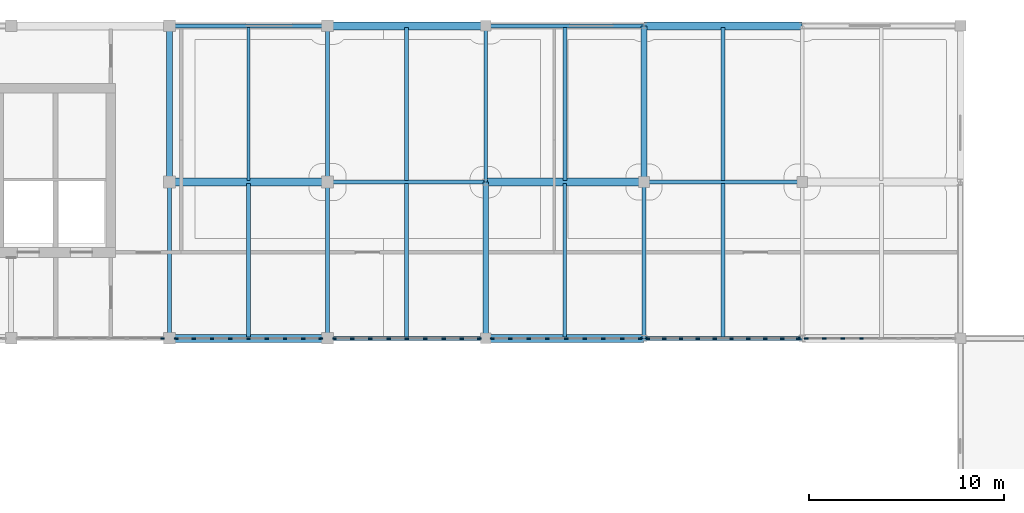
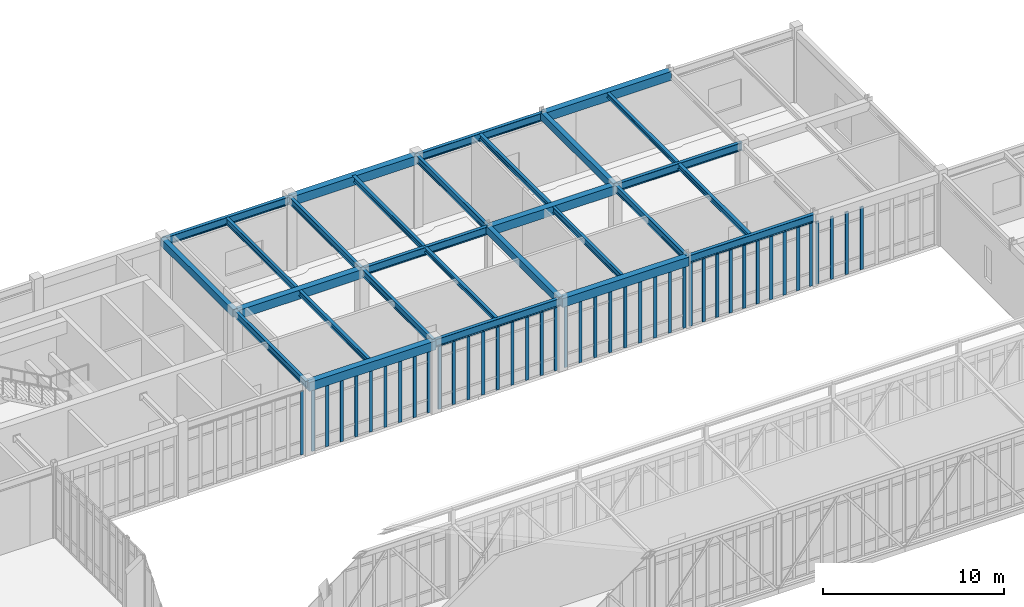
# One storey, part 36 of 107: 42 members, 28 beams, 6 elements without a shape of their own.
"""IFC4 building model written with IfcOpenShell, lengths in metres."""

from ifc_helpers import new_model, si_unit, direction, frame, origin, origin_2d, place, context, subcontext, project, spatial, rectangle, i_section, extrude, material, material_profile, profile_set, type_object, element, aggregate, save


model = new_model("IFC4")

# Units and contexts
model_context = context("Model", 3, precision=1e-05, world=origin(), true_north=direction((0.0, 1.0)))
body_context = subcontext(model_context, "Body", "Model", "MODEL_VIEW")
ifc_project = project(units=[si_unit("LENGTHUNIT", "METRE"), si_unit("AREAUNIT", "SQUARE_METRE"), si_unit("VOLUMEUNIT", "CUBIC_METRE"), si_unit("PLANEANGLEUNIT", "RADIAN"), si_unit("MASSUNIT", "GRAM", prefix="KILO")], contexts=[model_context])

# Site, building, storey
site_placement = place(None, origin())
site = spatial("IfcSite", under=ifc_project, at=site_placement, CompositionType="ELEMENT")
building_placement = place(site_placement, origin())
building = spatial("IfcBuilding", under=site, at=building_placement, Name="Tarnveldt Square Police Headquarters", CompositionType="ELEMENT")
storey_placement = place(building_placement, frame((0.0, 0.0, 14.699951171875)))
storey = spatial("IfcBuildingStorey", under=building, at=storey_placement, Name="L03", CompositionType="ELEMENT", Elevation=14.699951171875)

# Beams
ifc_material_1 = material(Name="Concrete 40 MPa", Category="concrete")
ifc_material_profile_1 = material_profile(ifc_material_1, rectangle(XDim=0.300048828125, YDim=0.5, at=origin_2d()), Name="RC-B300x500")
ifc_profile_set_1 = profile_set([ifc_material_profile_1], Name="Concrete 40 MPa")
beam_type_1 = type_object("IfcBeamType", Name="BM-RC300x500", PredefinedType="BEAM", material=ifc_profile_set_1)
for number, where, z_axis, x_axis, name in (
    (1, (64.800048828125, 104.0, 4.590087890625), (0.0, 1.0, 0.0), (-1.0, 0.0, 0.0), "L04 Grid Girder Y-0895"),
    (2, (81.0, 96.0, 4.590087890625), (0.0, 1.0, 0.0), (-1.0, 0.0, 0.0), "L04 Grid Girder Y-0898"),
    (3, (89.10009765625, 104.0, 4.590087890625), (0.0, 1.0, 0.0), (-1.0, 0.0, 0.0), "L04 Grid Girder Y-0901"),
):
    element("IfcBeam", number, at=place(storey_placement, frame(where, z_axis=z_axis, x_axis=x_axis)), inside=storey, type_object=beam_type_1, Name=name, PredefinedType="BEAM", context=body_context, shape_type="SweptSolid", body=[
        extrude(rectangle(XDim=0.300048828125, YDim=0.5, at=origin_2d()), origin(), (0.0, 0.0, 1.0), 8.0),
    ])
ifc_material_profile_2 = material_profile(ifc_material_1, rectangle(XDim=0.39990234375, YDim=0.60009765625, at=origin_2d()), Name="RC-B400x600")
ifc_profile_set_2 = profile_set([ifc_material_profile_2], Name="Concrete 40 MPa")
beam_type_2 = type_object("IfcBeamType", Name="BM-RC400x600", PredefinedType="BEAM", material=ifc_profile_set_2)
beam_1_placement = place(storey_placement, frame((64.800048828125, 96.0, 4.5400390625), z_axis=(1.0, 0.0, 0.0), x_axis=(0.0, 1.0, 0.0)))
element("IfcBeam", 4, at=beam_1_placement, inside=storey, type_object=beam_type_2, Name="L04 Grid Girder X-0838", PredefinedType="BEAM", context=body_context, shape_type="SweptSolid", body=[
    extrude(rectangle(XDim=0.39990234375, YDim=0.60009765625, at=origin_2d()), origin(), (0.0, 0.0, 1.0), 8.099853515625),
])
beam_2_placement = place(storey_placement, frame((81.0, 96.0, 4.5400390625), z_axis=(1.0, 0.0, 0.0), x_axis=(0.0, 1.0, 0.0)))
element("IfcBeam", 5, at=beam_2_placement, inside=storey, type_object=beam_type_2, Name="L04 Grid Girder X-0840", PredefinedType="BEAM", context=body_context, shape_type="SweptSolid", body=[
    extrude(rectangle(XDim=0.39990234375, YDim=0.60009765625, at=origin_2d()), origin(), (0.0, 0.0, 1.0), 8.10009765625),
])
beam_3_placement = place(storey_placement, frame((64.800048828125, 104.0, 4.5400390625), z_axis=(1.0, 0.0, 0.0), x_axis=(0.0, 1.0, 0.0)))
element("IfcBeam", 6, at=beam_3_placement, inside=storey, type_object=beam_type_2, Name="L04 Grid Girder X-0846", PredefinedType="BEAM", context=body_context, shape_type="SweptSolid", body=[
    extrude(rectangle(XDim=0.39990234375, YDim=0.60009765625, at=origin_2d()), origin(), (0.0, 0.0, 1.0), 8.099853515625),
])
for number, where, z_axis, x_axis, name in (
    (7, (81.0, 104.0, 4.5400390625), (1.0, 0.0, 0.0), (0.0, 1.0, 0.0), "L04 Grid Girder X-0848"),
    (8, (72.89990234375, 112.0, 4.5400390625), (1.0, 0.0, 0.0), (0.0, 1.0, 0.0), "L04 Grid Girder X-0858"),
):
    element("IfcBeam", number, at=place(storey_placement, frame(where, z_axis=z_axis, x_axis=x_axis)), inside=storey, type_object=beam_type_2, Name=name, PredefinedType="BEAM", context=body_context, shape_type="SweptSolid", body=[
        extrude(rectangle(XDim=0.39990234375, YDim=0.60009765625, at=origin_2d()), origin(), (0.0, 0.0, 1.0), 8.10009765625),
    ])
beam_4_placement = place(storey_placement, frame((89.10009765625, 112.0, 4.5400390625), z_axis=(1.0, 0.0, 0.0), x_axis=(0.0, 1.0, 0.0)))
element("IfcBeam", 9, at=beam_4_placement, inside=storey, type_object=beam_type_2, Name="L04 Grid Girder X-0860", PredefinedType="BEAM", context=body_context, shape_type="SweptSolid", body=[
    extrude(rectangle(XDim=0.39990234375, YDim=0.60009765625, at=origin_2d()), origin(), (0.0, 0.0, 1.0), 8.099853515625),
])
ifc_material_2 = material(Name="Steel 350W", Category="steel")
ifc_material_profile_3 = material_profile(ifc_material_2, i_section(OverallWidth=0.202880859375, OverallDepth=0.302978515625, WebThickness=0.007568359375, FlangeThickness=0.01318359375, FilletRadius=0.014892578125, at=origin_2d()), Name="W310x60")
ifc_profile_set_3 = profile_set([ifc_material_profile_3], Name="Steel 350W")
beam_type_3 = type_object("IfcBeamType", Name="BM-W310x60", PredefinedType="JOIST", material=ifc_profile_set_3)
for number, where, z_axis, x_axis, name in (
    (10, (76.949951171875, 96.080078125, 4.6884765625), (0.0, 1.0, 0.0), (-1.0, 0.0, 0.0), "L04 Secondary Floor Joist 0200"),
    (11, (93.14990234375, 104.080078125, 4.6884765625), (0.0, 1.0, 0.0), (-1.0, 0.0, 0.0), "L04 Secondary Floor Joist 0208"),
):
    element("IfcBeam", number, at=place(storey_placement, frame(where, z_axis=z_axis, x_axis=x_axis)), inside=storey, type_object=beam_type_3, Name=name, PredefinedType="JOIST", context=body_context, shape_type="SweptSolid", body=[
        extrude(i_section(OverallWidth=0.202880859375, OverallDepth=0.302978515625, WebThickness=0.007568359375, FlangeThickness=0.01318359375, FilletRadius=0.014892578125, at=origin_2d()), origin(), (0.0, 0.0, 1.0), 7.83984375),
    ])
ifc_material_profile_4 = material_profile(ifc_material_2, i_section(OverallWidth=0.202880859375, OverallDepth=0.346923828125, WebThickness=0.0078125, FlangeThickness=0.013427734375, FilletRadius=0.01611328125, at=origin_2d()), Name="W360x64")
ifc_profile_set_4 = profile_set([ifc_material_profile_4], Name="Steel 350W")
beam_type_4 = type_object("IfcBeamType", Name="BM-W360x64", PredefinedType="JOIST", material=ifc_profile_set_4)
for number, where, z_axis, x_axis, name in (
    (12, (68.85009765625, 96.080078125, 4.66650390625), (0.0, 1.0, 0.0), (-1.0, 0.0, 0.0), "L04 Secondary Floor Joist 0199"),
    (13, (85.050048828125, 104.080078125, 4.66650390625), (0.0, 1.0, 0.0), (-1.0, 0.0, 0.0), "L04 Secondary Floor Joist 0207"),
):
    element("IfcBeam", number, at=place(storey_placement, frame(where, z_axis=z_axis, x_axis=x_axis)), inside=storey, type_object=beam_type_4, Name=name, PredefinedType="JOIST", context=body_context, shape_type="SweptSolid", body=[
        extrude(i_section(OverallWidth=0.202880859375, OverallDepth=0.346923828125, WebThickness=0.0078125, FlangeThickness=0.013427734375, FilletRadius=0.01611328125, at=origin_2d()), origin(), (0.0, 0.0, 1.0), 7.83984375),
    ])
ifc_material_profile_5 = material_profile(ifc_material_2, i_section(OverallWidth=0.205078125, OverallDepth=0.35400390625, WebThickness=0.009521484375, FlangeThickness=0.016845703125, FilletRadius=0.01611328125, at=origin_2d()), Name="W360x79")
ifc_profile_set_5 = profile_set([ifc_material_profile_5], Name="Steel 350W")
beam_type_5 = type_object("IfcBeamType", Name="BM-W360x79", PredefinedType="JOIST", material=ifc_profile_set_5)
for number, where, z_axis, x_axis, name in (
    (14, (93.14990234375, 96.080078125, 4.6630859375), (0.0, 1.0, 0.0), (-1.0, 0.0, 0.0), "L04 Secondary Floor Joist 0202"),
    (15, (76.949951171875, 104.080078125, 4.6630859375), (0.0, 1.0, 0.0), (-1.0, 0.0, 0.0), "L04 Secondary Floor Joist 0206"),
):
    element("IfcBeam", number, at=place(storey_placement, frame(where, z_axis=z_axis, x_axis=x_axis)), inside=storey, type_object=beam_type_5, Name=name, PredefinedType="JOIST", context=body_context, shape_type="SweptSolid", body=[
        extrude(i_section(OverallWidth=0.205078125, OverallDepth=0.35400390625, WebThickness=0.009521484375, FlangeThickness=0.016845703125, FilletRadius=0.01611328125, at=origin_2d()), origin(), (0.0, 0.0, 1.0), 7.83984375),
    ])
ifc_material_profile_6 = material_profile(ifc_material_2, i_section(OverallWidth=0.177978515625, OverallDepth=0.406982421875, WebThickness=0.0078125, FlangeThickness=0.0126953125, FilletRadius=0.01611328125, at=origin_2d()), Name="W410x60")
ifc_profile_set_6 = profile_set([ifc_material_profile_6], Name="Steel 350W")
beam_type_6 = type_object("IfcBeamType", Name="BM-W410x60", PredefinedType="JOIST", material=ifc_profile_set_6)
for number, where, z_axis, x_axis, name in (
    (16, (85.050048828125, 96.080078125, 4.636474609375), (0.0, 1.0, 0.0), (-1.0, 0.0, 0.0), "L04 Secondary Floor Joist 0201"),
    (17, (68.85009765625, 104.080078125, 4.636474609375), (0.0, 1.0, 0.0), (-1.0, 0.0, 0.0), "L04 Secondary Floor Joist 0205"),
):
    element("IfcBeam", number, at=place(storey_placement, frame(where, z_axis=z_axis, x_axis=x_axis)), inside=storey, type_object=beam_type_6, Name=name, PredefinedType="JOIST", context=body_context, shape_type="SweptSolid", body=[
        extrude(i_section(OverallWidth=0.177978515625, OverallDepth=0.406982421875, WebThickness=0.0078125, FlangeThickness=0.0126953125, FilletRadius=0.01611328125, at=origin_2d()), origin(), (0.0, 0.0, 1.0), 7.83984375),
    ])
ifc_material_profile_7 = material_profile(ifc_material_2, i_section(OverallWidth=0.19189453125, OverallDepth=0.462890625, WebThickness=0.010498046875, FlangeThickness=0.017578125, FilletRadius=0.01806640625, at=origin_2d()), Name="W460x89")
ifc_profile_set_7 = profile_set([ifc_material_profile_7], Name="Steel 350W")
beam_type_7 = type_object("IfcBeamType", Name="BM-W460x89", PredefinedType="BEAM", material=ifc_profile_set_7)
for number, where, z_axis, x_axis, name in (
    (18, (64.800048828125, 96.0, 4.608642578125), (0.0, 1.0, 0.0), (-1.0, 0.0, 0.0), "L04 Grid Girder Y-0894"),
    (19, (72.89990234375, 96.0, 4.608642578125), (0.0, 1.0, 0.0), (-1.0, 0.0, 0.0), "L04 Grid Girder Y-0896"),
    (20, (72.89990234375, 104.0, 4.608642578125), (0.0, 1.0, 0.0), (-1.0, 0.0, 0.0), "L04 Grid Girder Y-0897"),
    (21, (81.0, 104.0, 4.608642578125), (0.0, 1.0, 0.0), (-1.0, 0.0, 0.0), "L04 Grid Girder Y-0899"),
    (22, (89.10009765625, 96.0, 4.608642578125), (0.0, 1.0, 0.0), (-1.0, 0.0, 0.0), "L04 Grid Girder Y-0900"),
):
    element("IfcBeam", number, at=place(storey_placement, frame(where, z_axis=z_axis, x_axis=x_axis)), inside=storey, type_object=beam_type_7, Name=name, PredefinedType="BEAM", context=body_context, shape_type="SweptSolid", body=[
        extrude(i_section(OverallWidth=0.19189453125, OverallDepth=0.462890625, WebThickness=0.010498046875, FlangeThickness=0.017578125, FilletRadius=0.01806640625, at=origin_2d()), origin(), (0.0, 0.0, 1.0), 8.0),
    ])
ifc_material_profile_8 = material_profile(ifc_material_2, i_section(OverallWidth=0.208984375, OverallDepth=0.532958984375, WebThickness=0.01025390625, FlangeThickness=0.015625, FilletRadius=0.01904296875, at=origin_2d()), Name="W530x92")
ifc_profile_set_8 = profile_set([ifc_material_profile_8], Name="Steel 350W")
beam_type_8 = type_object("IfcBeamType", Name="BM-W530x92", PredefinedType="BEAM", material=ifc_profile_set_8)
beam_5_placement = place(storey_placement, frame((72.89990234375, 96.0, 4.573486328125), z_axis=(1.0, 0.0, 0.0), x_axis=(0.0, 1.0, 0.0)))
element("IfcBeam", 23, at=beam_5_placement, inside=storey, type_object=beam_type_8, Name="L04 Grid Girder X-0839", PredefinedType="BEAM", context=body_context, shape_type="SweptSolid", body=[
    extrude(i_section(OverallWidth=0.208984375, OverallDepth=0.532958984375, WebThickness=0.01025390625, FlangeThickness=0.015625, FilletRadius=0.01904296875, at=origin_2d()), origin(), (0.0, 0.0, 1.0), 8.10009765625),
])
beam_6_placement = place(storey_placement, frame((89.10009765625, 96.0, 4.573486328125), z_axis=(1.0, 0.0, 0.0), x_axis=(0.0, 1.0, 0.0)))
element("IfcBeam", 24, at=beam_6_placement, inside=storey, type_object=beam_type_8, Name="L04 Grid Girder X-0841", PredefinedType="BEAM", context=body_context, shape_type="SweptSolid", body=[
    extrude(i_section(OverallWidth=0.208984375, OverallDepth=0.532958984375, WebThickness=0.01025390625, FlangeThickness=0.015625, FilletRadius=0.01904296875, at=origin_2d()), origin(), (0.0, 0.0, 1.0), 8.099853515625),
])
beam_7_placement = place(storey_placement, frame((72.89990234375, 104.0, 4.573486328125), z_axis=(1.0, 0.0, 0.0), x_axis=(0.0, 1.0, 0.0)))
element("IfcBeam", 25, at=beam_7_placement, inside=storey, type_object=beam_type_8, Name="L04 Grid Girder X-0847", PredefinedType="BEAM", context=body_context, shape_type="SweptSolid", body=[
    extrude(i_section(OverallWidth=0.208984375, OverallDepth=0.532958984375, WebThickness=0.01025390625, FlangeThickness=0.015625, FilletRadius=0.01904296875, at=origin_2d()), origin(), (0.0, 0.0, 1.0), 8.10009765625),
])
for number, where, z_axis, x_axis, name in (
    (26, (89.10009765625, 104.0, 4.573486328125), (1.0, 0.0, 0.0), (0.0, 1.0, 0.0), "L04 Grid Girder X-0849"),
    (27, (64.800048828125, 112.0, 4.573486328125), (1.0, 0.0, 0.0), (0.0, 1.0, 0.0), "L04 Grid Girder X-0857"),
):
    element("IfcBeam", number, at=place(storey_placement, frame(where, z_axis=z_axis, x_axis=x_axis)), inside=storey, type_object=beam_type_8, Name=name, PredefinedType="BEAM", context=body_context, shape_type="SweptSolid", body=[
        extrude(i_section(OverallWidth=0.208984375, OverallDepth=0.532958984375, WebThickness=0.01025390625, FlangeThickness=0.015625, FilletRadius=0.01904296875, at=origin_2d()), origin(), (0.0, 0.0, 1.0), 8.099853515625),
    ])
beam_8_placement = place(storey_placement, frame((81.0, 112.0, 4.573486328125), z_axis=(1.0, 0.0, 0.0), x_axis=(0.0, 1.0, 0.0)))
element("IfcBeam", 28, at=beam_8_placement, inside=storey, type_object=beam_type_8, Name="L04 Grid Girder X-0859", PredefinedType="BEAM", context=body_context, shape_type="SweptSolid", body=[
    extrude(i_section(OverallWidth=0.208984375, OverallDepth=0.532958984375, WebThickness=0.01025390625, FlangeThickness=0.015625, FilletRadius=0.01904296875, at=origin_2d()), origin(), (0.0, 0.0, 1.0), 8.10009765625),
])

# Curtain wall, member
ifc_material_3 = material(Name="Triple-glazed low-e laminated vision glass", Category="glass")
curtain_wall_type_1 = type_object("IfcCurtainWallType", Name="CW-LB-747x430", PredefinedType="USERDEFINED", material=ifc_material_3)
curtain_wall_1_placement = place(storey_placement, origin())
curtain_wall_1 = element("IfcCurtainWall", 29, at=curtain_wall_1_placement, inside=storey, type_object=curtain_wall_type_1, Name="L03 Curtain Wall CW-L03-120", ObjectType="GLAZED CURTAIN WALL", PredefinedType="USERDEFINED")
ifc_material_4 = material(Name="Thermally broken anodised aluminium 6063-T6", Category="aluminium")
ifc_material_profile_9 = material_profile(ifc_material_4, rectangle(XDim=0.074951171875, YDim=0.199951171875, at=origin_2d()), Name="CW-M75x200")
ifc_profile_set_9 = profile_set([ifc_material_profile_9], Name="Thermally broken anodised aluminium 6063-T6")
member_type = type_object("IfcMemberType", Name="CWM-75x200", PredefinedType="MULLION", material=ifc_profile_set_9)
member_1_placement = place(storey_placement, frame((64.447509765625, 96.0, 0.0), z_axis=(0.0, 0.0, 1.0), x_axis=(0.0, 1.0, 0.0)))
member_1 = element("IfcMember", 30, at=member_1_placement, type_object=member_type, Name="CW-LB71 mullion 9", PredefinedType="MULLION", context=body_context, shape_type="SweptSolid", body=[
    extrude(rectangle(XDim=0.074951171875, YDim=0.199951171875, at=origin_2d()), origin(), (0.0, 0.0, 1.0), 4.299072265625),
])
aggregate(curtain_wall_1, [member_1])

# Curtain wall, members
curtain_wall_type_2 = type_object("IfcCurtainWallType", Name="CW-LB-747x423", PredefinedType="USERDEFINED", material=ifc_material_3)
curtain_wall_2_placement = place(storey_placement, origin())
curtain_wall_2 = element("IfcCurtainWall", 31, at=curtain_wall_2_placement, inside=storey, type_object=curtain_wall_type_2, Name="L03 Curtain Wall CW-L03-121", ObjectType="GLAZED CURTAIN WALL", PredefinedType="USERDEFINED")
member_2_placement = place(storey_placement, frame((65.152587890625, 96.0, 0.0), z_axis=(0.0, 0.0, 1.0), x_axis=(0.0, 1.0, 0.0)))
member_2 = element("IfcMember", 32, at=member_2_placement, type_object=member_type, Name="CW-LB72 mullion 1", PredefinedType="MULLION", context=body_context, shape_type="SweptSolid", body=[
    extrude(rectangle(XDim=0.074951171875, YDim=0.199951171875, at=origin_2d()), origin(), (0.0, 0.0, 1.0), 4.23193359375),
])
member_3_placement = place(storey_placement, frame((66.048828125, 96.0, 0.0), z_axis=(0.0, 0.0, 1.0), x_axis=(0.0, 1.0, 0.0)))
member_3 = element("IfcMember", 33, at=member_3_placement, type_object=member_type, Name="CW-LB72 mullion 2", PredefinedType="MULLION", context=body_context, shape_type="SweptSolid", body=[
    extrude(rectangle(XDim=0.074951171875, YDim=0.199951171875, at=origin_2d()), origin(), (0.0, 0.0, 1.0), 4.23193359375),
])
member_4_placement = place(storey_placement, frame((66.982421875, 96.0, 0.0), z_axis=(0.0, 0.0, 1.0), x_axis=(0.0, 1.0, 0.0)))
member_4 = element("IfcMember", 34, at=member_4_placement, type_object=member_type, Name="CW-LB72 mullion 3", PredefinedType="MULLION", context=body_context, shape_type="SweptSolid", body=[
    extrude(rectangle(XDim=0.074951171875, YDim=0.199951171875, at=origin_2d()), origin(), (0.0, 0.0, 1.0), 4.23193359375),
])
member_5_placement = place(storey_placement, frame((67.916259765625, 96.0, 0.0), z_axis=(0.0, 0.0, 1.0), x_axis=(0.0, 1.0, 0.0)))
member_5 = element("IfcMember", 35, at=member_5_placement, type_object=member_type, Name="CW-LB72 mullion 4", PredefinedType="MULLION", context=body_context, shape_type="SweptSolid", body=[
    extrude(rectangle(XDim=0.074951171875, YDim=0.199951171875, at=origin_2d()), origin(), (0.0, 0.0, 1.0), 4.23193359375),
])
member_6_placement = place(storey_placement, frame((68.85009765625, 96.0, 0.0), z_axis=(0.0, 0.0, 1.0), x_axis=(0.0, 1.0, 0.0)))
member_6 = element("IfcMember", 36, at=member_6_placement, type_object=member_type, Name="CW-LB72 mullion 5", PredefinedType="MULLION", context=body_context, shape_type="SweptSolid", body=[
    extrude(rectangle(XDim=0.074951171875, YDim=0.199951171875, at=origin_2d()), origin(), (0.0, 0.0, 1.0), 4.23193359375),
])
member_7_placement = place(storey_placement, frame((69.78369140625, 96.0, 0.0), z_axis=(0.0, 0.0, 1.0), x_axis=(0.0, 1.0, 0.0)))
member_7 = element("IfcMember", 37, at=member_7_placement, type_object=member_type, Name="CW-LB72 mullion 6", PredefinedType="MULLION", context=body_context, shape_type="SweptSolid", body=[
    extrude(rectangle(XDim=0.074951171875, YDim=0.199951171875, at=origin_2d()), origin(), (0.0, 0.0, 1.0), 4.23193359375),
])
member_8_placement = place(storey_placement, frame((70.717529296875, 96.0, 0.0), z_axis=(0.0, 0.0, 1.0), x_axis=(0.0, 1.0, 0.0)))
member_8 = element("IfcMember", 38, at=member_8_placement, type_object=member_type, Name="CW-LB72 mullion 7", PredefinedType="MULLION", context=body_context, shape_type="SweptSolid", body=[
    extrude(rectangle(XDim=0.074951171875, YDim=0.199951171875, at=origin_2d()), origin(), (0.0, 0.0, 1.0), 4.23193359375),
])
member_9_placement = place(storey_placement, frame((71.6513671875, 96.0, 0.0), z_axis=(0.0, 0.0, 1.0), x_axis=(0.0, 1.0, 0.0)))
member_9 = element("IfcMember", 39, at=member_9_placement, type_object=member_type, Name="CW-LB72 mullion 8", PredefinedType="MULLION", context=body_context, shape_type="SweptSolid", body=[
    extrude(rectangle(XDim=0.074951171875, YDim=0.199951171875, at=origin_2d()), origin(), (0.0, 0.0, 1.0), 4.23193359375),
])
member_10_placement = place(storey_placement, frame((72.547607421875, 96.0, 0.0), z_axis=(0.0, 0.0, 1.0), x_axis=(0.0, 1.0, 0.0)))
member_10 = element("IfcMember", 40, at=member_10_placement, type_object=member_type, Name="CW-LB72 mullion 9", PredefinedType="MULLION", context=body_context, shape_type="SweptSolid", body=[
    extrude(rectangle(XDim=0.074951171875, YDim=0.199951171875, at=origin_2d()), origin(), (0.0, 0.0, 1.0), 4.23193359375),
])
aggregate(curtain_wall_2, [member_2, member_3, member_4, member_5, member_6, member_7, member_8, member_9, member_10])

curtain_wall_type_3 = type_object("IfcCurtainWallType", Name="CW-LB-749x430", PredefinedType="USERDEFINED", material=ifc_material_3)
curtain_wall_3_placement = place(storey_placement, origin())
curtain_wall_3 = element("IfcCurtainWall", 41, at=curtain_wall_3_placement, inside=storey, type_object=curtain_wall_type_3, Name="L03 Curtain Wall CW-L03-122", ObjectType="GLAZED CURTAIN WALL", PredefinedType="USERDEFINED")
member_11_placement = place(storey_placement, frame((73.25244140625, 96.0, 0.0), z_axis=(0.0, 0.0, 1.0), x_axis=(0.0, 1.0, 0.0)))
member_11 = element("IfcMember", 42, at=member_11_placement, type_object=member_type, Name="CW-LB73 mullion 1", PredefinedType="MULLION", context=body_context, shape_type="SweptSolid", body=[
    extrude(rectangle(XDim=0.074951171875, YDim=0.199951171875, at=origin_2d()), origin(), (0.0, 0.0, 1.0), 4.299072265625),
])
member_12_placement = place(storey_placement, frame((74.15185546875, 96.0, 0.0), z_axis=(0.0, 0.0, 1.0), x_axis=(0.0, 1.0, 0.0)))
member_12 = element("IfcMember", 43, at=member_12_placement, type_object=member_type, Name="CW-LB73 mullion 2", PredefinedType="MULLION", context=body_context, shape_type="SweptSolid", body=[
    extrude(rectangle(XDim=0.074951171875, YDim=0.199951171875, at=origin_2d()), origin(), (0.0, 0.0, 1.0), 4.299072265625),
])
member_13_placement = place(storey_placement, frame((75.0888671875, 96.0, 0.0), z_axis=(0.0, 0.0, 1.0), x_axis=(0.0, 1.0, 0.0)))
member_13 = element("IfcMember", 44, at=member_13_placement, type_object=member_type, Name="CW-LB73 mullion 3", PredefinedType="MULLION", context=body_context, shape_type="SweptSolid", body=[
    extrude(rectangle(XDim=0.074951171875, YDim=0.199951171875, at=origin_2d()), origin(), (0.0, 0.0, 1.0), 4.299072265625),
])
member_14_placement = place(storey_placement, frame((76.025634765625, 96.0, 0.0), z_axis=(0.0, 0.0, 1.0), x_axis=(0.0, 1.0, 0.0)))
member_14 = element("IfcMember", 45, at=member_14_placement, type_object=member_type, Name="CW-LB73 mullion 4", PredefinedType="MULLION", context=body_context, shape_type="SweptSolid", body=[
    extrude(rectangle(XDim=0.074951171875, YDim=0.199951171875, at=origin_2d()), origin(), (0.0, 0.0, 1.0), 4.299072265625),
])
member_15_placement = place(storey_placement, frame((76.96240234375, 96.0, 0.0), z_axis=(0.0, 0.0, 1.0), x_axis=(0.0, 1.0, 0.0)))
member_15 = element("IfcMember", 46, at=member_15_placement, type_object=member_type, Name="CW-LB73 mullion 5", PredefinedType="MULLION", context=body_context, shape_type="SweptSolid", body=[
    extrude(rectangle(XDim=0.074951171875, YDim=0.199951171875, at=origin_2d()), origin(), (0.0, 0.0, 1.0), 4.299072265625),
])
member_16_placement = place(storey_placement, frame((77.8994140625, 96.0, 0.0), z_axis=(0.0, 0.0, 1.0), x_axis=(0.0, 1.0, 0.0)))
member_16 = element("IfcMember", 47, at=member_16_placement, type_object=member_type, Name="CW-LB73 mullion 6", PredefinedType="MULLION", context=body_context, shape_type="SweptSolid", body=[
    extrude(rectangle(XDim=0.074951171875, YDim=0.199951171875, at=origin_2d()), origin(), (0.0, 0.0, 1.0), 4.299072265625),
])
member_17_placement = place(storey_placement, frame((78.836181640625, 96.0, 0.0), z_axis=(0.0, 0.0, 1.0), x_axis=(0.0, 1.0, 0.0)))
member_17 = element("IfcMember", 48, at=member_17_placement, type_object=member_type, Name="CW-LB73 mullion 7", PredefinedType="MULLION", context=body_context, shape_type="SweptSolid", body=[
    extrude(rectangle(XDim=0.074951171875, YDim=0.199951171875, at=origin_2d()), origin(), (0.0, 0.0, 1.0), 4.299072265625),
])
member_18_placement = place(storey_placement, frame((79.773193359375, 96.0, 0.0), z_axis=(0.0, 0.0, 1.0), x_axis=(0.0, 1.0, 0.0)))
member_18 = element("IfcMember", 49, at=member_18_placement, type_object=member_type, Name="CW-LB73 mullion 8", PredefinedType="MULLION", context=body_context, shape_type="SweptSolid", body=[
    extrude(rectangle(XDim=0.074951171875, YDim=0.199951171875, at=origin_2d()), origin(), (0.0, 0.0, 1.0), 4.299072265625),
])
member_19_placement = place(storey_placement, frame((80.672607421875, 96.0, 0.0), z_axis=(0.0, 0.0, 1.0), x_axis=(0.0, 1.0, 0.0)))
member_19 = element("IfcMember", 50, at=member_19_placement, type_object=member_type, Name="CW-LB73 mullion 9", PredefinedType="MULLION", context=body_context, shape_type="SweptSolid", body=[
    extrude(rectangle(XDim=0.074951171875, YDim=0.199951171875, at=origin_2d()), origin(), (0.0, 0.0, 1.0), 4.299072265625),
])
aggregate(curtain_wall_3, [member_11, member_12, member_13, member_14, member_15, member_16, member_17, member_18, member_19])

curtain_wall_type_4 = type_object("IfcCurtainWallType", Name="CW-LB-764x423", PredefinedType="USERDEFINED", material=ifc_material_3)
curtain_wall_4_placement = place(storey_placement, origin())
curtain_wall_4 = element("IfcCurtainWall", 51, at=curtain_wall_4_placement, inside=storey, type_object=curtain_wall_type_4, Name="L03 Curtain Wall CW-L03-123", ObjectType="GLAZED CURTAIN WALL", PredefinedType="USERDEFINED")
member_20_placement = place(storey_placement, frame((81.327392578125, 96.0, 0.0), z_axis=(0.0, 0.0, 1.0), x_axis=(0.0, 1.0, 0.0)))
member_20 = element("IfcMember", 52, at=member_20_placement, type_object=member_type, Name="CW-LB74 mullion 1", PredefinedType="MULLION", context=body_context, shape_type="SweptSolid", body=[
    extrude(rectangle(XDim=0.074951171875, YDim=0.199951171875, at=origin_2d()), origin(), (0.0, 0.0, 1.0), 4.23193359375),
])
member_21_placement = place(storey_placement, frame((82.2451171875, 96.0, 0.0), z_axis=(0.0, 0.0, 1.0), x_axis=(0.0, 1.0, 0.0)))
member_21 = element("IfcMember", 53, at=member_21_placement, type_object=member_type, Name="CW-LB74 mullion 2", PredefinedType="MULLION", context=body_context, shape_type="SweptSolid", body=[
    extrude(rectangle(XDim=0.074951171875, YDim=0.199951171875, at=origin_2d()), origin(), (0.0, 0.0, 1.0), 4.23193359375),
])
member_22_placement = place(storey_placement, frame((83.2001953125, 96.0, 0.0), z_axis=(0.0, 0.0, 1.0), x_axis=(0.0, 1.0, 0.0)))
member_22 = element("IfcMember", 54, at=member_22_placement, type_object=member_type, Name="CW-LB74 mullion 3", PredefinedType="MULLION", context=body_context, shape_type="SweptSolid", body=[
    extrude(rectangle(XDim=0.074951171875, YDim=0.199951171875, at=origin_2d()), origin(), (0.0, 0.0, 1.0), 4.23193359375),
])
member_23_placement = place(storey_placement, frame((84.1552734375, 96.0, 0.0), z_axis=(0.0, 0.0, 1.0), x_axis=(0.0, 1.0, 0.0)))
member_23 = element("IfcMember", 55, at=member_23_placement, type_object=member_type, Name="CW-LB74 mullion 4", PredefinedType="MULLION", context=body_context, shape_type="SweptSolid", body=[
    extrude(rectangle(XDim=0.074951171875, YDim=0.199951171875, at=origin_2d()), origin(), (0.0, 0.0, 1.0), 4.23193359375),
])
member_24_placement = place(storey_placement, frame((85.110595703125, 96.0, 0.0), z_axis=(0.0, 0.0, 1.0), x_axis=(0.0, 1.0, 0.0)))
member_24 = element("IfcMember", 56, at=member_24_placement, type_object=member_type, Name="CW-LB74 mullion 5", PredefinedType="MULLION", context=body_context, shape_type="SweptSolid", body=[
    extrude(rectangle(XDim=0.074951171875, YDim=0.199951171875, at=origin_2d()), origin(), (0.0, 0.0, 1.0), 4.23193359375),
])
member_25_placement = place(storey_placement, frame((86.065673828125, 96.0, 0.0), z_axis=(0.0, 0.0, 1.0), x_axis=(0.0, 1.0, 0.0)))
member_25 = element("IfcMember", 57, at=member_25_placement, type_object=member_type, Name="CW-LB74 mullion 6", PredefinedType="MULLION", context=body_context, shape_type="SweptSolid", body=[
    extrude(rectangle(XDim=0.074951171875, YDim=0.199951171875, at=origin_2d()), origin(), (0.0, 0.0, 1.0), 4.23193359375),
])
member_26_placement = place(storey_placement, frame((87.020751953125, 96.0, 0.0), z_axis=(0.0, 0.0, 1.0), x_axis=(0.0, 1.0, 0.0)))
member_26 = element("IfcMember", 58, at=member_26_placement, type_object=member_type, Name="CW-LB74 mullion 7", PredefinedType="MULLION", context=body_context, shape_type="SweptSolid", body=[
    extrude(rectangle(XDim=0.074951171875, YDim=0.199951171875, at=origin_2d()), origin(), (0.0, 0.0, 1.0), 4.23193359375),
])
member_27_placement = place(storey_placement, frame((87.975830078125, 96.0, 0.0), z_axis=(0.0, 0.0, 1.0), x_axis=(0.0, 1.0, 0.0)))
member_27 = element("IfcMember", 59, at=member_27_placement, type_object=member_type, Name="CW-LB74 mullion 8", PredefinedType="MULLION", context=body_context, shape_type="SweptSolid", body=[
    extrude(rectangle(XDim=0.074951171875, YDim=0.199951171875, at=origin_2d()), origin(), (0.0, 0.0, 1.0), 4.23193359375),
])
member_28_placement = place(storey_placement, frame((88.8935546875, 96.0, 0.0), z_axis=(0.0, 0.0, 1.0), x_axis=(0.0, 1.0, 0.0)))
member_28 = element("IfcMember", 60, at=member_28_placement, type_object=member_type, Name="CW-LB74 mullion 9", PredefinedType="MULLION", context=body_context, shape_type="SweptSolid", body=[
    extrude(rectangle(XDim=0.074951171875, YDim=0.199951171875, at=origin_2d()), origin(), (0.0, 0.0, 1.0), 4.23193359375),
])
aggregate(curtain_wall_4, [member_20, member_21, member_22, member_23, member_24, member_25, member_26, member_27, member_28])

curtain_wall_type_5 = type_object("IfcCurtainWallType", Name="CW-LB-776x430", PredefinedType="USERDEFINED", material=ifc_material_3)
curtain_wall_5_placement = place(storey_placement, origin())
curtain_wall_5 = element("IfcCurtainWall", 61, at=curtain_wall_5_placement, inside=storey, type_object=curtain_wall_type_5, Name="L03 Curtain Wall CW-L03-124", ObjectType="GLAZED CURTAIN WALL", PredefinedType="USERDEFINED")
member_29_placement = place(storey_placement, frame((89.306396484375, 96.0, 0.0), z_axis=(0.0, 0.0, 1.0), x_axis=(0.0, 1.0, 0.0)))
member_29 = element("IfcMember", 62, at=member_29_placement, type_object=member_type, Name="CW-LB75 mullion 1", PredefinedType="MULLION", context=body_context, shape_type="SweptSolid", body=[
    extrude(rectangle(XDim=0.074951171875, YDim=0.199951171875, at=origin_2d()), origin(), (0.0, 0.0, 1.0), 4.299072265625),
])
member_30_placement = place(storey_placement, frame((90.13134765625, 96.0, 0.0), z_axis=(0.0, 0.0, 1.0), x_axis=(0.0, 1.0, 0.0)))
member_30 = element("IfcMember", 63, at=member_30_placement, type_object=member_type, Name="CW-LB75 mullion 2", PredefinedType="MULLION", context=body_context, shape_type="SweptSolid", body=[
    extrude(rectangle(XDim=0.074951171875, YDim=0.199951171875, at=origin_2d()), origin(), (0.0, 0.0, 1.0), 4.299072265625),
])
member_31_placement = place(storey_placement, frame((90.993896484375, 96.0, 0.0), z_axis=(0.0, 0.0, 1.0), x_axis=(0.0, 1.0, 0.0)))
member_31 = element("IfcMember", 64, at=member_31_placement, type_object=member_type, Name="CW-LB75 mullion 3", PredefinedType="MULLION", context=body_context, shape_type="SweptSolid", body=[
    extrude(rectangle(XDim=0.074951171875, YDim=0.199951171875, at=origin_2d()), origin(), (0.0, 0.0, 1.0), 4.299072265625),
])
member_32_placement = place(storey_placement, frame((91.8564453125, 96.0, 0.0), z_axis=(0.0, 0.0, 1.0), x_axis=(0.0, 1.0, 0.0)))
member_32 = element("IfcMember", 65, at=member_32_placement, type_object=member_type, Name="CW-LB75 mullion 4", PredefinedType="MULLION", context=body_context, shape_type="SweptSolid", body=[
    extrude(rectangle(XDim=0.074951171875, YDim=0.199951171875, at=origin_2d()), origin(), (0.0, 0.0, 1.0), 4.299072265625),
])
member_33_placement = place(storey_placement, frame((92.71875, 96.0, 0.0), z_axis=(0.0, 0.0, 1.0), x_axis=(0.0, 1.0, 0.0)))
member_33 = element("IfcMember", 66, at=member_33_placement, type_object=member_type, Name="CW-LB75 mullion 5", PredefinedType="MULLION", context=body_context, shape_type="SweptSolid", body=[
    extrude(rectangle(XDim=0.074951171875, YDim=0.199951171875, at=origin_2d()), origin(), (0.0, 0.0, 1.0), 4.299072265625),
])
member_34_placement = place(storey_placement, frame((93.581298828125, 96.0, 0.0), z_axis=(0.0, 0.0, 1.0), x_axis=(0.0, 1.0, 0.0)))
member_34 = element("IfcMember", 67, at=member_34_placement, type_object=member_type, Name="CW-LB75 mullion 6", PredefinedType="MULLION", context=body_context, shape_type="SweptSolid", body=[
    extrude(rectangle(XDim=0.074951171875, YDim=0.199951171875, at=origin_2d()), origin(), (0.0, 0.0, 1.0), 4.299072265625),
])
member_35_placement = place(storey_placement, frame((94.443603515625, 96.0, 0.0), z_axis=(0.0, 0.0, 1.0), x_axis=(0.0, 1.0, 0.0)))
member_35 = element("IfcMember", 68, at=member_35_placement, type_object=member_type, Name="CW-LB75 mullion 7", PredefinedType="MULLION", context=body_context, shape_type="SweptSolid", body=[
    extrude(rectangle(XDim=0.074951171875, YDim=0.199951171875, at=origin_2d()), origin(), (0.0, 0.0, 1.0), 4.299072265625),
])
member_36_placement = place(storey_placement, frame((95.30615234375, 96.0, 0.0), z_axis=(0.0, 0.0, 1.0), x_axis=(0.0, 1.0, 0.0)))
member_36 = element("IfcMember", 69, at=member_36_placement, type_object=member_type, Name="CW-LB75 mullion 8", PredefinedType="MULLION", context=body_context, shape_type="SweptSolid", body=[
    extrude(rectangle(XDim=0.074951171875, YDim=0.199951171875, at=origin_2d()), origin(), (0.0, 0.0, 1.0), 4.299072265625),
])
member_37_placement = place(storey_placement, frame((96.16845703125, 96.0, 0.0), z_axis=(0.0, 0.0, 1.0), x_axis=(0.0, 1.0, 0.0)))
member_37 = element("IfcMember", 70, at=member_37_placement, type_object=member_type, Name="CW-LB75 mullion 9", PredefinedType="MULLION", context=body_context, shape_type="SweptSolid", body=[
    extrude(rectangle(XDim=0.074951171875, YDim=0.199951171875, at=origin_2d()), origin(), (0.0, 0.0, 1.0), 4.299072265625),
])
member_38_placement = place(storey_placement, frame((96.993408203125, 96.0, 0.0), z_axis=(0.0, 0.0, 1.0), x_axis=(0.0, 1.0, 0.0)))
member_38 = element("IfcMember", 71, at=member_38_placement, type_object=member_type, Name="CW-LB75 mullion 10", PredefinedType="MULLION", context=body_context, shape_type="SweptSolid", body=[
    extrude(rectangle(XDim=0.074951171875, YDim=0.199951171875, at=origin_2d()), origin(), (0.0, 0.0, 1.0), 4.299072265625),
])
aggregate(curtain_wall_5, [member_29, member_30, member_31, member_32, member_33, member_34, member_35, member_36, member_37, member_38])

curtain_wall_6_placement = place(storey_placement, origin())
curtain_wall_6 = element("IfcCurtainWall", 72, at=curtain_wall_6_placement, inside=storey, type_object=curtain_wall_type_4, Name="L03 Curtain Wall CW-L03-125", ObjectType="GLAZED CURTAIN WALL", PredefinedType="USERDEFINED")
member_39_placement = place(storey_placement, frame((97.406494140625, 96.0, 0.0), z_axis=(0.0, 0.0, 1.0), x_axis=(0.0, 1.0, 0.0)))
member_39 = element("IfcMember", 73, at=member_39_placement, type_object=member_type, Name="CW-LB74 mullion 1", PredefinedType="MULLION", context=body_context, shape_type="SweptSolid", body=[
    extrude(rectangle(XDim=0.074951171875, YDim=0.199951171875, at=origin_2d()), origin(), (0.0, 0.0, 1.0), 4.23193359375),
])
member_40_placement = place(storey_placement, frame((98.32421875, 96.0, 0.0), z_axis=(0.0, 0.0, 1.0), x_axis=(0.0, 1.0, 0.0)))
member_40 = element("IfcMember", 74, at=member_40_placement, type_object=member_type, Name="CW-LB74 mullion 2", PredefinedType="MULLION", context=body_context, shape_type="SweptSolid", body=[
    extrude(rectangle(XDim=0.074951171875, YDim=0.199951171875, at=origin_2d()), origin(), (0.0, 0.0, 1.0), 4.23193359375),
])
member_41_placement = place(storey_placement, frame((99.279296875, 96.0, 0.0), z_axis=(0.0, 0.0, 1.0), x_axis=(0.0, 1.0, 0.0)))
member_41 = element("IfcMember", 75, at=member_41_placement, type_object=member_type, Name="CW-LB74 mullion 3", PredefinedType="MULLION", context=body_context, shape_type="SweptSolid", body=[
    extrude(rectangle(XDim=0.074951171875, YDim=0.199951171875, at=origin_2d()), origin(), (0.0, 0.0, 1.0), 4.23193359375),
])
member_42_placement = place(storey_placement, frame((100.234375, 96.0, 0.0), z_axis=(0.0, 0.0, 1.0), x_axis=(0.0, 1.0, 0.0)))
member_42 = element("IfcMember", 76, at=member_42_placement, type_object=member_type, Name="CW-LB74 mullion 4", PredefinedType="MULLION", context=body_context, shape_type="SweptSolid", body=[
    extrude(rectangle(XDim=0.074951171875, YDim=0.199951171875, at=origin_2d()), origin(), (0.0, 0.0, 1.0), 4.23193359375),
])
aggregate(curtain_wall_6, [member_39, member_40, member_41, member_42])

save(model, "model.ifc")
